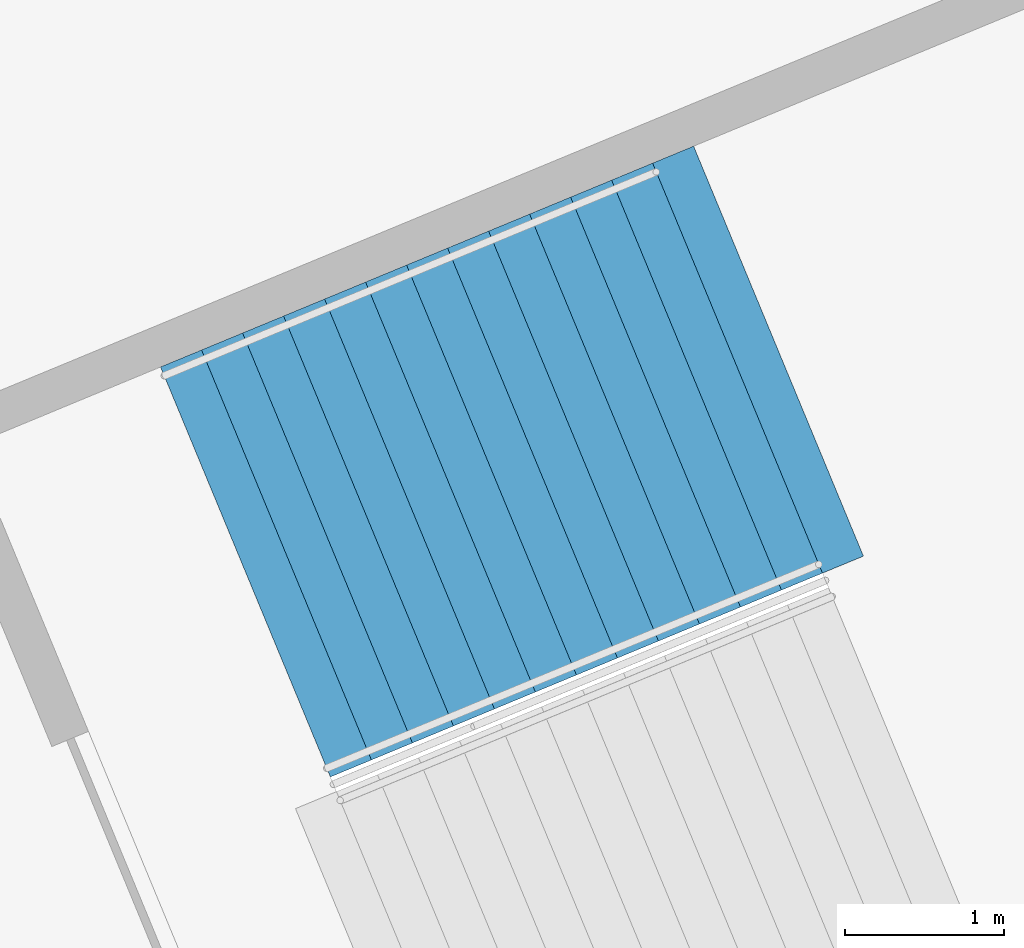
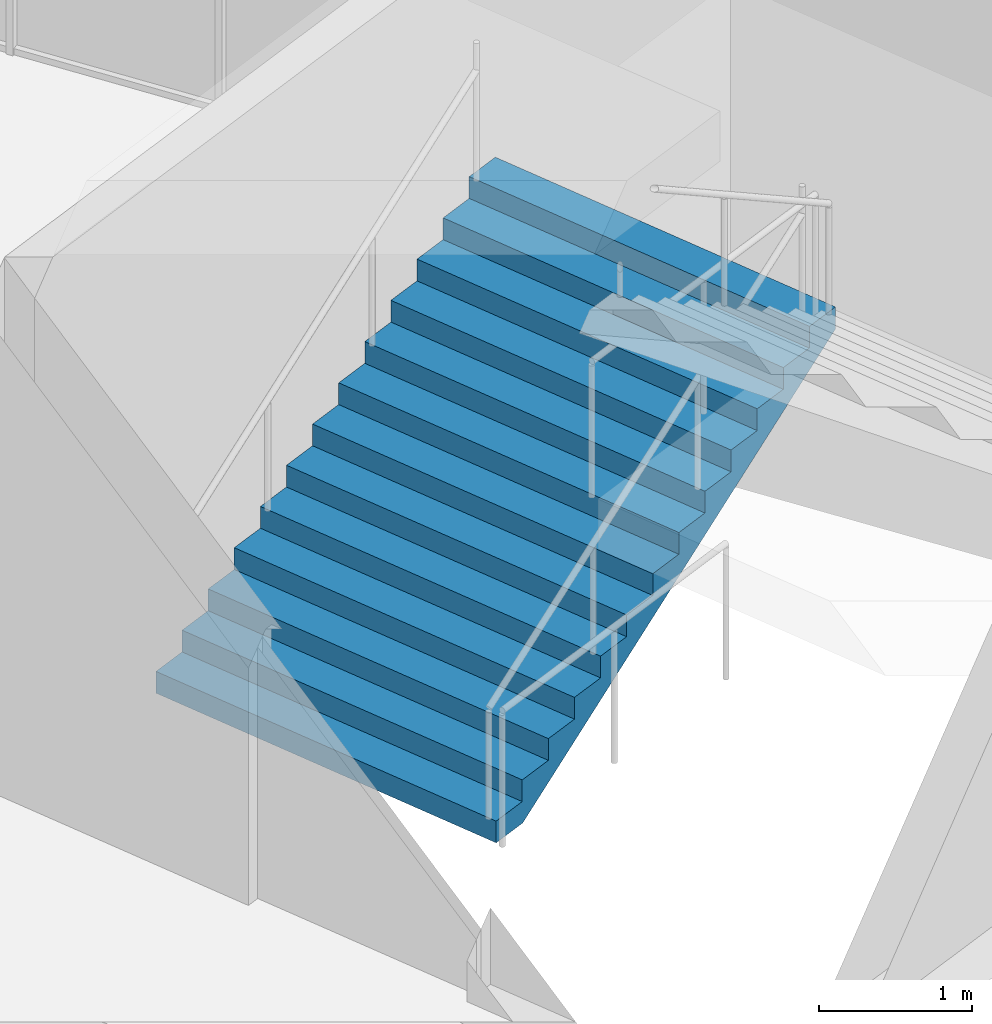
# One storey, part 177 of 199: 1 stair flight, 1 element without a shape of its own.
"""IFC4 building model written with IfcOpenShell, lengths in metres."""

from ifc_helpers import new_model, si_unit, direction, frame, origin, place, context, subcontext, project, spatial, faceted_brep, material, type_object, element, aggregate, save


model = new_model("IFC4")

# Units and contexts
model_context = context("Model", 3, precision=1e-05, world=origin(), true_north=direction((0.0, 1.0)))
body_context = subcontext(model_context, "Body", "Model", "MODEL_VIEW")
ifc_project = project(units=[si_unit("LENGTHUNIT", "METRE"), si_unit("AREAUNIT", "SQUARE_METRE"), si_unit("VOLUMEUNIT", "CUBIC_METRE"), si_unit("PLANEANGLEUNIT", "RADIAN"), si_unit("MASSUNIT", "GRAM", prefix="KILO")], contexts=[model_context])

# Site, building, storey
site_placement = place(None, origin())
site = spatial("IfcSite", under=ifc_project, at=site_placement, CompositionType="ELEMENT")
building_placement = place(site_placement, origin())
building = spatial("IfcBuilding", under=site, at=building_placement, Name="Ogive Plaza Stadium", CompositionType="ELEMENT")
storey_placement = place(building_placement, frame((0.0, 0.0, 9.0)))
storey = spatial("IfcBuildingStorey", under=building, at=storey_placement, Name="L02", CompositionType="ELEMENT", Elevation=9.0)

# Stair, stair flight
ifc_material_1 = material(Name="Concrete C40/50", Category="concrete")
stair_type = type_object("IfcStairType", Name="Exit stair", PredefinedType="STRAIGHT_RUN_STAIR", material=ifc_material_1)
stair_placement = place(storey_placement, origin())
stair = element("IfcStair", 1, at=stair_placement, inside=storey, type_object=stair_type, Name="Exit stair ST40B L02 to L03", PredefinedType="STRAIGHT_RUN_STAIR")
ifc_material_2 = material(Name="Concrete C40/50", Category="concrete")
stair_flight_type = type_object("IfcStairFlightType", Name="Exit stair flight", PredefinedType="STRAIGHT", material=ifc_material_2)
stair_flight_placement = place(storey_placement, frame((71.432861328125, 72.794921875, 0.0), z_axis=(0.0, 0.0, 1.0), x_axis=(0.923879532511, 0.382683432365, 0.0)))
stair_flight = element("IfcStairFlight", 2, at=stair_flight_placement, type_object=stair_flight_type, Name="ST40B flight 1", NumberOfRisers=13, NumberOfTreads=12, PredefinedType="STRAIGHT", RiserHeight=0.173076923, TreadLength=0.28, context=body_context, shape_type="Brep", body=[
    faceted_brep([(0.28515625, -1.39990234375, 0.0), (3.639892578125, -1.39990234375, 2.07373046875), (3.639892578125, -1.39990234375, 2.25), (3.360107421875, -1.39990234375, 2.25), (3.360107421875, -1.39990234375, 2.076904296875), (3.080078125, -1.39990234375, 2.076904296875), (3.080078125, -1.39990234375, 1.90380859375), (2.800048828125, -1.39990234375, 1.90380859375), (2.800048828125, -1.39990234375, 1.730712890625), (2.52001953125, -1.39990234375, 1.730712890625), (2.52001953125, -1.39990234375, 1.5576171875), (2.239990234375, -1.39990234375, 1.5576171875), (2.239990234375, -1.39990234375, 1.384521484375), (1.9599609375, -1.39990234375, 1.384521484375), (1.9599609375, -1.39990234375, 1.21142578125), (1.679931640625, -1.39990234375, 1.21142578125), (1.679931640625, -1.39990234375, 1.03857421875), (1.39990234375, -1.39990234375, 1.03857421875), (1.39990234375, -1.39990234375, 0.865478515625), (1.1201171875, -1.39990234375, 0.865478515625), (1.1201171875, -1.39990234375, 0.6923828125), (0.840087890625, -1.39990234375, 0.6923828125), (0.840087890625, -1.39990234375, 0.519287109375), (0.56005859375, -1.39990234375, 0.519287109375), (0.56005859375, -1.39990234375, 0.34619140625), (0.280029296875, -1.39990234375, 0.34619140625), (0.280029296875, -1.39990234375, 0.173095703125), (0.0, -1.39990234375, 0.173095703125), (0.0, -1.39990234375, 0.0), (0.0, 1.39990234375, 0.0), (0.0, 1.39990234375, 0.173095703125), (0.280029296875, 1.39990234375, 0.173095703125), (0.280029296875, 1.39990234375, 0.34619140625), (0.56005859375, 1.39990234375, 0.34619140625), (0.56005859375, 1.39990234375, 0.519287109375), (0.840087890625, 1.39990234375, 0.519287109375), (0.840087890625, 1.39990234375, 0.6923828125), (1.1201171875, 1.39990234375, 0.6923828125), (1.1201171875, 1.39990234375, 0.865478515625), (1.39990234375, 1.39990234375, 0.865478515625), (1.39990234375, 1.39990234375, 1.03857421875), (1.679931640625, 1.39990234375, 1.03857421875), (1.679931640625, 1.39990234375, 1.21142578125), (1.9599609375, 1.39990234375, 1.21142578125), (1.9599609375, 1.39990234375, 1.384521484375), (2.239990234375, 1.39990234375, 1.384521484375), (2.239990234375, 1.39990234375, 1.5576171875), (2.52001953125, 1.39990234375, 1.5576171875), (2.52001953125, 1.39990234375, 1.730712890625), (2.800048828125, 1.39990234375, 1.730712890625), (2.800048828125, 1.39990234375, 1.90380859375), (3.080078125, 1.39990234375, 1.90380859375), (3.080078125, 1.39990234375, 2.076904296875), (3.360107421875, 1.39990234375, 2.076904296875), (3.360107421875, 1.39990234375, 2.25), (3.639892578125, 1.39990234375, 2.25), (3.639892578125, 1.39990234375, 2.07373046875), (0.28515625, 1.39990234375, 0.0), (0.28515625, -1.0888671875, 0.0), (3.639892578125, -1.0888671875, 2.07373046875), (0.28515625, -0.77783203125, 0.0), (3.639892578125, -0.77783203125, 2.07373046875), (0.28515625, -0.466796875, 0.0), (3.639892578125, -0.466796875, 2.07373046875), (0.28515625, -0.155517578125, 0.0), (3.639892578125, -0.155517578125, 2.07373046875), (0.28515625, 0.155517578125, 0.0), (3.639892578125, 0.155517578125, 2.07373046875), (0.28515625, 0.466796875, 0.0), (3.639892578125, 0.466796875, 2.07373046875), (0.28515625, 0.77783203125, 0.0), (3.639892578125, 0.77783203125, 2.07373046875), (0.28515625, 1.0888671875, 0.0), (3.639892578125, 1.0888671875, 2.07373046875), (3.639892578125, -1.0888671875, 2.25), (3.639892578125, -0.77783203125, 2.25), (3.639892578125, -0.466796875, 2.25), (3.639892578125, -0.155517578125, 2.25), (3.639892578125, 0.155517578125, 2.25), (3.639892578125, 0.466796875, 2.25), (3.639892578125, 0.77783203125, 2.25), (3.639892578125, 1.0888671875, 2.25), (3.360107421875, -1.0888671875, 2.25), (3.360107421875, -0.77783203125, 2.25), (3.360107421875, -0.466796875, 2.25), (3.360107421875, -0.155517578125, 2.25), (3.360107421875, 0.155517578125, 2.25), (3.360107421875, 0.466796875, 2.25), (3.360107421875, 0.77783203125, 2.25), (3.360107421875, 1.0888671875, 2.25), (3.360107421875, -1.0888671875, 2.076904296875), (3.360107421875, -0.77783203125, 2.076904296875), (3.360107421875, -0.466796875, 2.076904296875), (3.360107421875, -0.155517578125, 2.076904296875), (3.360107421875, 0.155517578125, 2.076904296875), (3.360107421875, 0.466796875, 2.076904296875), (3.360107421875, 0.77783203125, 2.076904296875), (3.360107421875, 1.0888671875, 2.076904296875), (3.080078125, -1.0888671875, 2.076904296875), (3.080078125, -0.77783203125, 2.076904296875), (3.080078125, -0.466796875, 2.076904296875), (3.080078125, -0.155517578125, 2.076904296875), (3.080078125, 0.155517578125, 2.076904296875), (3.080078125, 0.466796875, 2.076904296875), (3.080078125, 0.77783203125, 2.076904296875), (3.080078125, 1.0888671875, 2.076904296875), (3.080078125, -1.0888671875, 1.90380859375), (3.080078125, -0.77783203125, 1.90380859375), (3.080078125, -0.466796875, 1.90380859375), (3.080078125, -0.155517578125, 1.90380859375), (3.080078125, 0.155517578125, 1.90380859375), (3.080078125, 0.466796875, 1.90380859375), (3.080078125, 0.77783203125, 1.90380859375), (3.080078125, 1.0888671875, 1.90380859375), (2.800048828125, -1.0888671875, 1.90380859375), (2.800048828125, -0.77783203125, 1.90380859375), (2.800048828125, -0.466796875, 1.90380859375), (2.800048828125, -0.155517578125, 1.90380859375), (2.800048828125, 0.155517578125, 1.90380859375), (2.800048828125, 0.466796875, 1.90380859375), (2.800048828125, 0.77783203125, 1.90380859375), (2.800048828125, 1.0888671875, 1.90380859375), (2.800048828125, -1.0888671875, 1.730712890625), (2.800048828125, -0.77783203125, 1.730712890625), (2.800048828125, -0.466796875, 1.730712890625), (2.800048828125, -0.155517578125, 1.730712890625), (2.800048828125, 0.155517578125, 1.730712890625), (2.800048828125, 0.466796875, 1.730712890625), (2.800048828125, 0.77783203125, 1.730712890625), (2.800048828125, 1.0888671875, 1.730712890625), (2.52001953125, -1.0888671875, 1.730712890625), (2.52001953125, -0.77783203125, 1.730712890625), (2.52001953125, -0.466796875, 1.730712890625), (2.52001953125, -0.155517578125, 1.730712890625), (2.52001953125, 0.155517578125, 1.730712890625), (2.52001953125, 0.466796875, 1.730712890625), (2.52001953125, 0.77783203125, 1.730712890625), (2.52001953125, 1.0888671875, 1.730712890625), (2.52001953125, -1.0888671875, 1.5576171875), (2.52001953125, -0.77783203125, 1.5576171875), (2.52001953125, -0.466796875, 1.5576171875), (2.52001953125, -0.155517578125, 1.5576171875), (2.52001953125, 0.155517578125, 1.5576171875), (2.52001953125, 0.466796875, 1.5576171875), (2.52001953125, 0.77783203125, 1.5576171875), (2.52001953125, 1.0888671875, 1.5576171875), (2.239990234375, -1.0888671875, 1.5576171875), (2.239990234375, -0.77783203125, 1.5576171875), (2.239990234375, -0.466796875, 1.5576171875), (2.239990234375, -0.155517578125, 1.5576171875), (2.239990234375, 0.155517578125, 1.5576171875), (2.239990234375, 0.466796875, 1.5576171875), (2.239990234375, 0.77783203125, 1.5576171875), (2.239990234375, 1.0888671875, 1.5576171875), (2.239990234375, -1.0888671875, 1.384521484375), (2.239990234375, -0.77783203125, 1.384521484375), (2.239990234375, -0.466796875, 1.384521484375), (2.239990234375, -0.155517578125, 1.384521484375), (2.239990234375, 0.155517578125, 1.384521484375), (2.239990234375, 0.466796875, 1.384521484375), (2.239990234375, 0.77783203125, 1.384521484375), (2.239990234375, 1.0888671875, 1.384521484375), (1.9599609375, -1.0888671875, 1.384521484375), (1.9599609375, -0.77783203125, 1.384521484375), (1.9599609375, -0.466796875, 1.384521484375), (1.9599609375, -0.155517578125, 1.384521484375), (1.9599609375, 0.155517578125, 1.384521484375), (1.9599609375, 0.466796875, 1.384521484375), (1.9599609375, 0.77783203125, 1.384521484375), (1.9599609375, 1.0888671875, 1.384521484375), (1.9599609375, -1.0888671875, 1.21142578125), (1.9599609375, -0.77783203125, 1.21142578125), (1.9599609375, -0.466796875, 1.21142578125), (1.9599609375, -0.155517578125, 1.21142578125), (1.9599609375, 0.155517578125, 1.21142578125), (1.9599609375, 0.466796875, 1.21142578125), (1.9599609375, 0.77783203125, 1.21142578125), (1.9599609375, 1.0888671875, 1.21142578125), (1.679931640625, -1.0888671875, 1.21142578125), (1.679931640625, -0.77783203125, 1.21142578125), (1.679931640625, -0.466796875, 1.21142578125), (1.679931640625, -0.155517578125, 1.21142578125), (1.679931640625, 0.155517578125, 1.21142578125), (1.679931640625, 0.466796875, 1.21142578125), (1.679931640625, 0.77783203125, 1.21142578125), (1.679931640625, 1.0888671875, 1.21142578125), (1.679931640625, -1.0888671875, 1.03857421875), (1.679931640625, -0.77783203125, 1.03857421875), (1.679931640625, -0.466796875, 1.03857421875), (1.679931640625, -0.155517578125, 1.03857421875), (1.679931640625, 0.155517578125, 1.03857421875), (1.679931640625, 0.466796875, 1.03857421875), (1.679931640625, 0.77783203125, 1.03857421875), (1.679931640625, 1.0888671875, 1.03857421875), (1.39990234375, -1.0888671875, 1.03857421875), (1.39990234375, -0.77783203125, 1.03857421875), (1.39990234375, -0.466796875, 1.03857421875), (1.39990234375, -0.155517578125, 1.03857421875), (1.39990234375, 0.155517578125, 1.03857421875), (1.39990234375, 0.466796875, 1.03857421875), (1.39990234375, 0.77783203125, 1.03857421875), (1.39990234375, 1.0888671875, 1.03857421875), (1.39990234375, -1.0888671875, 0.865478515625), (1.39990234375, -0.77783203125, 0.865478515625), (1.39990234375, -0.466796875, 0.865478515625), (1.39990234375, -0.155517578125, 0.865478515625), (1.39990234375, 0.155517578125, 0.865478515625), (1.39990234375, 0.466796875, 0.865478515625), (1.39990234375, 0.77783203125, 0.865478515625), (1.39990234375, 1.0888671875, 0.865478515625), (1.1201171875, -1.0888671875, 0.865478515625), (1.1201171875, -0.77783203125, 0.865478515625), (1.1201171875, -0.466796875, 0.865478515625), (1.1201171875, -0.155517578125, 0.865478515625), (1.1201171875, 0.155517578125, 0.865478515625), (1.1201171875, 0.466796875, 0.865478515625), (1.1201171875, 0.77783203125, 0.865478515625), (1.1201171875, 1.0888671875, 0.865478515625), (1.1201171875, -1.0888671875, 0.6923828125), (1.1201171875, -0.77783203125, 0.6923828125), (1.1201171875, -0.466796875, 0.6923828125), (1.1201171875, -0.155517578125, 0.6923828125), (1.1201171875, 0.155517578125, 0.6923828125), (1.1201171875, 0.466796875, 0.6923828125), (1.1201171875, 0.77783203125, 0.6923828125), (1.1201171875, 1.0888671875, 0.6923828125), (0.840087890625, -1.0888671875, 0.6923828125), (0.840087890625, -0.77783203125, 0.6923828125), (0.840087890625, -0.466796875, 0.6923828125), (0.840087890625, -0.155517578125, 0.6923828125), (0.840087890625, 0.155517578125, 0.6923828125), (0.840087890625, 0.466796875, 0.6923828125), (0.840087890625, 0.77783203125, 0.6923828125), (0.840087890625, 1.0888671875, 0.6923828125), (0.840087890625, -1.0888671875, 0.519287109375), (0.840087890625, -0.77783203125, 0.519287109375), (0.840087890625, -0.466796875, 0.519287109375), (0.840087890625, -0.155517578125, 0.519287109375), (0.840087890625, 0.155517578125, 0.519287109375), (0.840087890625, 0.466796875, 0.519287109375), (0.840087890625, 0.77783203125, 0.519287109375), (0.840087890625, 1.0888671875, 0.519287109375), (0.56005859375, -1.0888671875, 0.519287109375), (0.56005859375, -0.77783203125, 0.519287109375), (0.56005859375, -0.466796875, 0.519287109375), (0.56005859375, -0.155517578125, 0.519287109375), (0.56005859375, 0.155517578125, 0.519287109375), (0.56005859375, 0.466796875, 0.519287109375), (0.56005859375, 0.77783203125, 0.519287109375), (0.56005859375, 1.0888671875, 0.519287109375), (0.56005859375, -1.0888671875, 0.34619140625), (0.56005859375, -0.77783203125, 0.34619140625), (0.56005859375, -0.466796875, 0.34619140625), (0.56005859375, -0.155517578125, 0.34619140625), (0.56005859375, 0.155517578125, 0.34619140625), (0.56005859375, 0.466796875, 0.34619140625), (0.56005859375, 0.77783203125, 0.34619140625), (0.56005859375, 1.0888671875, 0.34619140625), (0.280029296875, -1.0888671875, 0.34619140625), (0.280029296875, -0.77783203125, 0.34619140625), (0.280029296875, -0.466796875, 0.34619140625), (0.280029296875, -0.155517578125, 0.34619140625), (0.280029296875, 0.155517578125, 0.34619140625), (0.280029296875, 0.466796875, 0.34619140625), (0.280029296875, 0.77783203125, 0.34619140625), (0.280029296875, 1.0888671875, 0.34619140625), (0.280029296875, -1.0888671875, 0.173095703125), (0.280029296875, -0.77783203125, 0.173095703125), (0.280029296875, -0.466796875, 0.173095703125), (0.280029296875, -0.155517578125, 0.173095703125), (0.280029296875, 0.155517578125, 0.173095703125), (0.280029296875, 0.466796875, 0.173095703125), (0.280029296875, 0.77783203125, 0.173095703125), (0.280029296875, 1.0888671875, 0.173095703125), (0.0, -1.0888671875, 0.173095703125), (0.0, -0.77783203125, 0.173095703125), (0.0, -0.466796875, 0.173095703125), (0.0, -0.155517578125, 0.173095703125), (0.0, 0.155517578125, 0.173095703125), (0.0, 0.466796875, 0.173095703125), (0.0, 0.77783203125, 0.173095703125), (0.0, 1.0888671875, 0.173095703125), (0.0, -1.0888671875, 0.0), (0.0, -0.77783203125, 0.0), (0.0, -0.466796875, 0.0), (0.0, -0.155517578125, 0.0), (0.0, 0.155517578125, 0.0), (0.0, 0.466796875, 0.0), (0.0, 0.77783203125, 0.0), (0.0, 1.0888671875, 0.0)], [[[0, 1, 2, 3, 4, 5, 6, 7, 8, 9, 10, 11, 12, 13, 14, 15, 16, 17, 18, 19, 20, 21, 22, 23, 24, 25, 26, 27, 28]], [[29, 30, 31, 32, 33, 34, 35, 36, 37, 38, 39, 40, 41, 42, 43, 44, 45, 46, 47, 48, 49, 50, 51, 52, 53, 54, 55, 56, 57]], [[0, 58, 59, 1]], [[58, 60, 61, 59]], [[60, 62, 63, 61]], [[62, 64, 65, 63]], [[64, 66, 67, 65]], [[66, 68, 69, 67]], [[68, 70, 71, 69]], [[70, 72, 73, 71]], [[72, 57, 56, 73]], [[1, 59, 74, 2]], [[59, 61, 75, 74]], [[61, 63, 76, 75]], [[63, 65, 77, 76]], [[65, 67, 78, 77]], [[67, 69, 79, 78]], [[69, 71, 80, 79]], [[71, 73, 81, 80]], [[73, 56, 55, 81]], [[2, 74, 82, 3]], [[74, 75, 83, 82]], [[75, 76, 84, 83]], [[76, 77, 85, 84]], [[77, 78, 86, 85]], [[78, 79, 87, 86]], [[79, 80, 88, 87]], [[80, 81, 89, 88]], [[81, 55, 54, 89]], [[3, 82, 90, 4]], [[82, 83, 91, 90]], [[83, 84, 92, 91]], [[84, 85, 93, 92]], [[85, 86, 94, 93]], [[86, 87, 95, 94]], [[87, 88, 96, 95]], [[88, 89, 97, 96]], [[89, 54, 53, 97]], [[4, 90, 98, 5]], [[90, 91, 99, 98]], [[91, 92, 100, 99]], [[92, 93, 101, 100]], [[93, 94, 102, 101]], [[94, 95, 103, 102]], [[95, 96, 104, 103]], [[96, 97, 105, 104]], [[97, 53, 52, 105]], [[5, 98, 106, 6]], [[98, 99, 107, 106]], [[99, 100, 108, 107]], [[100, 101, 109, 108]], [[101, 102, 110, 109]], [[102, 103, 111, 110]], [[103, 104, 112, 111]], [[104, 105, 113, 112]], [[105, 52, 51, 113]], [[6, 106, 114, 7]], [[106, 107, 115, 114]], [[107, 108, 116, 115]], [[108, 109, 117, 116]], [[109, 110, 118, 117]], [[110, 111, 119, 118]], [[111, 112, 120, 119]], [[112, 113, 121, 120]], [[113, 51, 50, 121]], [[7, 114, 122, 8]], [[114, 115, 123, 122]], [[115, 116, 124, 123]], [[116, 117, 125, 124]], [[117, 118, 126, 125]], [[118, 119, 127, 126]], [[119, 120, 128, 127]], [[120, 121, 129, 128]], [[121, 50, 49, 129]], [[8, 122, 130, 9]], [[122, 123, 131, 130]], [[123, 124, 132, 131]], [[124, 125, 133, 132]], [[125, 126, 134, 133]], [[126, 127, 135, 134]], [[127, 128, 136, 135]], [[128, 129, 137, 136]], [[129, 49, 48, 137]], [[9, 130, 138, 10]], [[130, 131, 139, 138]], [[131, 132, 140, 139]], [[132, 133, 141, 140]], [[133, 134, 142, 141]], [[134, 135, 143, 142]], [[135, 136, 144, 143]], [[136, 137, 145, 144]], [[137, 48, 47, 145]], [[10, 138, 146, 11]], [[138, 139, 147, 146]], [[139, 140, 148, 147]], [[140, 141, 149, 148]], [[141, 142, 150, 149]], [[142, 143, 151, 150]], [[143, 144, 152, 151]], [[144, 145, 153, 152]], [[145, 47, 46, 153]], [[11, 146, 154, 12]], [[146, 147, 155, 154]], [[147, 148, 156, 155]], [[148, 149, 157, 156]], [[149, 150, 158, 157]], [[150, 151, 159, 158]], [[151, 152, 160, 159]], [[152, 153, 161, 160]], [[153, 46, 45, 161]], [[12, 154, 162, 13]], [[154, 155, 163, 162]], [[155, 156, 164, 163]], [[156, 157, 165, 164]], [[157, 158, 166, 165]], [[158, 159, 167, 166]], [[159, 160, 168, 167]], [[160, 161, 169, 168]], [[161, 45, 44, 169]], [[13, 162, 170, 14]], [[162, 163, 171, 170]], [[163, 164, 172, 171]], [[164, 165, 173, 172]], [[165, 166, 174, 173]], [[166, 167, 175, 174]], [[167, 168, 176, 175]], [[168, 169, 177, 176]], [[169, 44, 43, 177]], [[14, 170, 178, 15]], [[170, 171, 179, 178]], [[171, 172, 180, 179]], [[172, 173, 181, 180]], [[173, 174, 182, 181]], [[174, 175, 183, 182]], [[175, 176, 184, 183]], [[176, 177, 185, 184]], [[177, 43, 42, 185]], [[15, 178, 186, 16]], [[178, 179, 187, 186]], [[179, 180, 188, 187]], [[180, 181, 189, 188]], [[181, 182, 190, 189]], [[182, 183, 191, 190]], [[183, 184, 192, 191]], [[184, 185, 193, 192]], [[185, 42, 41, 193]], [[16, 186, 194, 17]], [[186, 187, 195, 194]], [[187, 188, 196, 195]], [[188, 189, 197, 196]], [[189, 190, 198, 197]], [[190, 191, 199, 198]], [[191, 192, 200, 199]], [[192, 193, 201, 200]], [[193, 41, 40, 201]], [[17, 194, 202, 18]], [[194, 195, 203, 202]], [[195, 196, 204, 203]], [[196, 197, 205, 204]], [[197, 198, 206, 205]], [[198, 199, 207, 206]], [[199, 200, 208, 207]], [[200, 201, 209, 208]], [[201, 40, 39, 209]], [[18, 202, 210, 19]], [[202, 203, 211, 210]], [[203, 204, 212, 211]], [[204, 205, 213, 212]], [[205, 206, 214, 213]], [[206, 207, 215, 214]], [[207, 208, 216, 215]], [[208, 209, 217, 216]], [[209, 39, 38, 217]], [[19, 210, 218, 20]], [[210, 211, 219, 218]], [[211, 212, 220, 219]], [[212, 213, 221, 220]], [[213, 214, 222, 221]], [[214, 215, 223, 222]], [[215, 216, 224, 223]], [[216, 217, 225, 224]], [[217, 38, 37, 225]], [[20, 218, 226, 21]], [[218, 219, 227, 226]], [[219, 220, 228, 227]], [[220, 221, 229, 228]], [[221, 222, 230, 229]], [[222, 223, 231, 230]], [[223, 224, 232, 231]], [[224, 225, 233, 232]], [[225, 37, 36, 233]], [[21, 226, 234, 22]], [[226, 227, 235, 234]], [[227, 228, 236, 235]], [[228, 229, 237, 236]], [[229, 230, 238, 237]], [[230, 231, 239, 238]], [[231, 232, 240, 239]], [[232, 233, 241, 240]], [[233, 36, 35, 241]], [[22, 234, 242, 23]], [[234, 235, 243, 242]], [[235, 236, 244, 243]], [[236, 237, 245, 244]], [[237, 238, 246, 245]], [[238, 239, 247, 246]], [[239, 240, 248, 247]], [[240, 241, 249, 248]], [[241, 35, 34, 249]], [[23, 242, 250, 24]], [[242, 243, 251, 250]], [[243, 244, 252, 251]], [[244, 245, 253, 252]], [[245, 246, 254, 253]], [[246, 247, 255, 254]], [[247, 248, 256, 255]], [[248, 249, 257, 256]], [[249, 34, 33, 257]], [[24, 250, 258, 25]], [[250, 251, 259, 258]], [[251, 252, 260, 259]], [[252, 253, 261, 260]], [[253, 254, 262, 261]], [[254, 255, 263, 262]], [[255, 256, 264, 263]], [[256, 257, 265, 264]], [[257, 33, 32, 265]], [[25, 258, 266, 26]], [[258, 259, 267, 266]], [[259, 260, 268, 267]], [[260, 261, 269, 268]], [[261, 262, 270, 269]], [[262, 263, 271, 270]], [[263, 264, 272, 271]], [[264, 265, 273, 272]], [[265, 32, 31, 273]], [[26, 266, 274, 27]], [[266, 267, 275, 274]], [[267, 268, 276, 275]], [[268, 269, 277, 276]], [[269, 270, 278, 277]], [[270, 271, 279, 278]], [[271, 272, 280, 279]], [[272, 273, 281, 280]], [[273, 31, 30, 281]], [[27, 274, 282, 28]], [[274, 275, 283, 282]], [[275, 276, 284, 283]], [[276, 277, 285, 284]], [[277, 278, 286, 285]], [[278, 279, 287, 286]], [[279, 280, 288, 287]], [[280, 281, 289, 288]], [[281, 30, 29, 289]], [[28, 282, 58, 0]], [[282, 283, 60, 58]], [[283, 284, 62, 60]], [[284, 285, 64, 62]], [[285, 286, 66, 64]], [[286, 287, 68, 66]], [[287, 288, 70, 68]], [[288, 289, 72, 70]], [[289, 29, 57, 72]]]),
])
aggregate(stair, [stair_flight])

save(model, "model.ifc")
